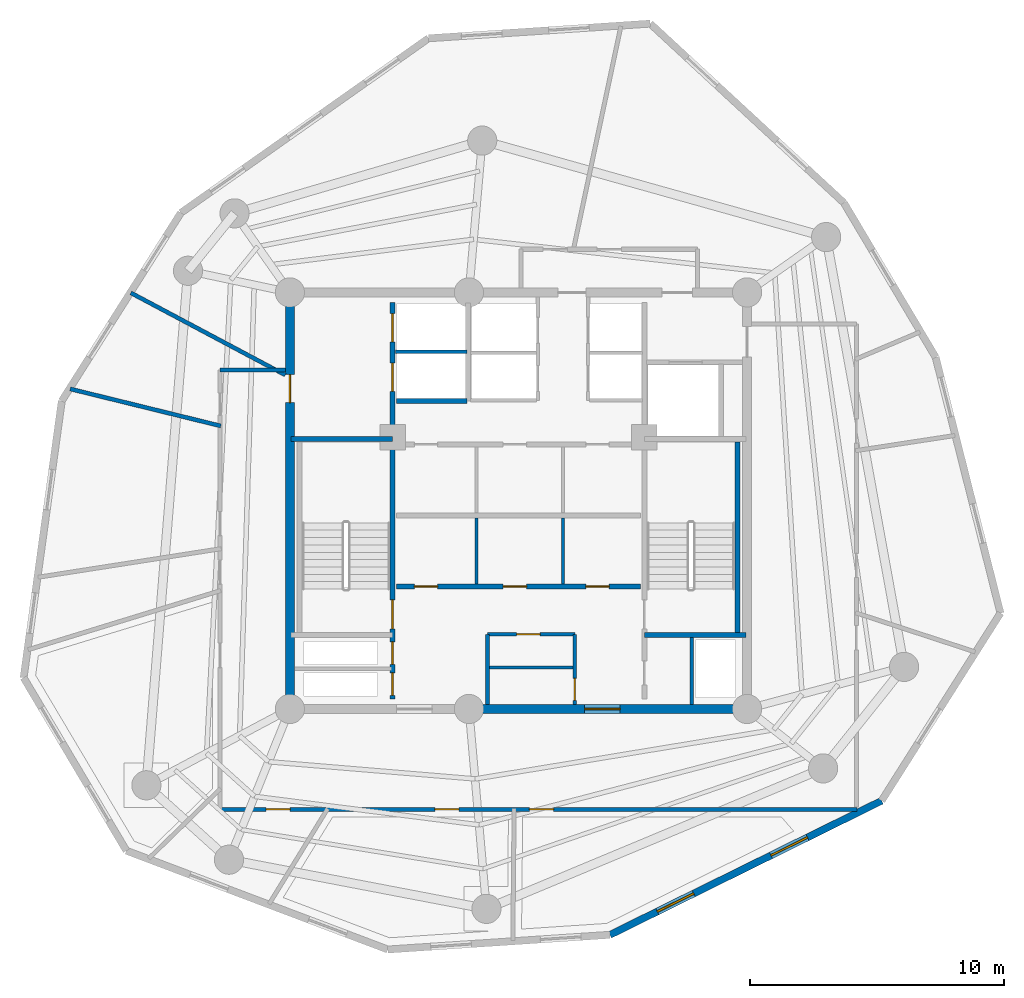
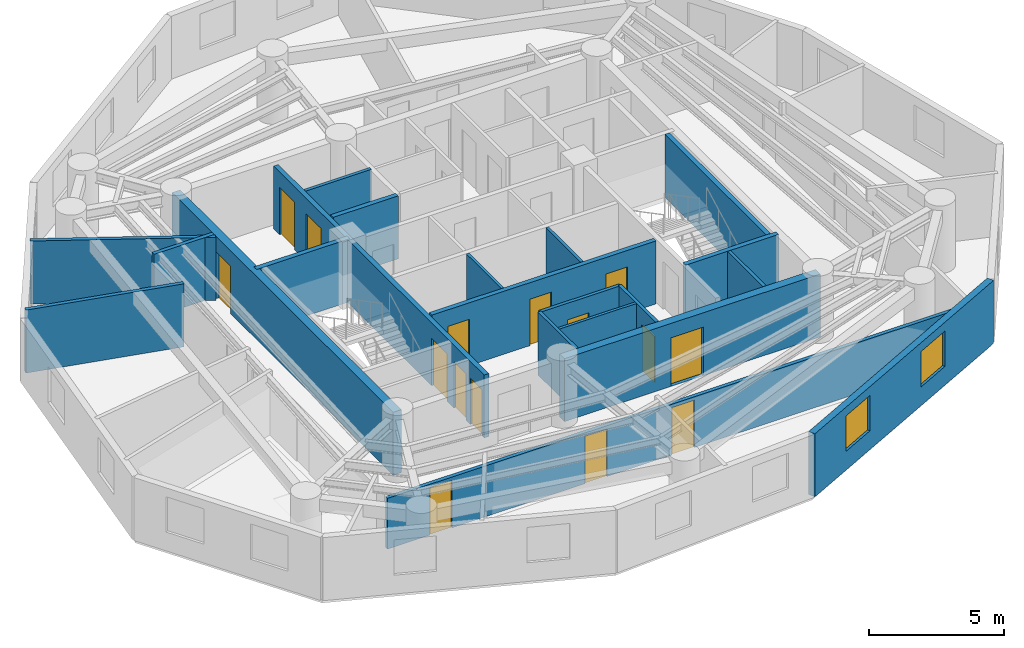
# One storey, part 3 of 6: 21 walls, 15 doors, 2 windows, 17 openings.
"""IFC4 building model written with IfcOpenShell, lengths in metres."""

from ifc_helpers import new_model, si_unit, direction, frame, frame_2d, origin, origin_with_axes, place, context, subcontext, project, spatial, rectangle, extrude, source, transform, mapped, material, layer, layer_set, type_object, element, fill, save


model = new_model("IFC4")

# Units and contexts
model_context = context("Model", 3, precision=1e-05, world=origin(), true_north=direction((0.0, 1.0)))
body_context = subcontext(model_context, "Body", "Model", "MODEL_VIEW")
ifc_project = project(units=[si_unit("LENGTHUNIT", "METRE"), si_unit("AREAUNIT", "SQUARE_METRE"), si_unit("VOLUMEUNIT", "CUBIC_METRE"), si_unit("PLANEANGLEUNIT", "RADIAN"), si_unit("MASSUNIT", "GRAM", prefix="KILO")], contexts=[model_context])

# Site, building, storey
site_placement = place(None, origin())
site = spatial("IfcSite", under=ifc_project, at=site_placement, CompositionType="ELEMENT")
building_placement = place(site_placement, origin())
building = spatial("IfcBuilding", under=site, at=building_placement, Name="Karkom Vertical University and Central Library", CompositionType="ELEMENT")
storey_placement = place(building_placement, frame((0.0, 0.0, 262.64990234375)))
storey = spatial("IfcBuildingStorey", under=building, at=storey_placement, Name="L78", CompositionType="ELEMENT", Elevation=262.64990234375)

# Wall, openings, windows
ifc_material_1 = material(Name="Brick-faced precast concrete C45/55", Category="masonry")
ifc_layer_1 = layer(ifc_material_1, 0.280029296875)
ifc_layer_set_1 = layer_set([ifc_layer_1], Name="Brick-faced precast concrete C45/55")
wall_type_1 = type_object("IfcWallType", Name="ENV-WL-BRK-280", PredefinedType="SOLIDWALL", material=ifc_layer_set_1)
wall_1_placement = place(storey_placement, frame((32.10107421875, 9.40478515625, 0.0), z_axis=(0.0, 0.0, 1.0), x_axis=(0.896764199355, 0.442508723931, 0.0)))
wall_1 = element("IfcWall", 1, at=wall_1_placement, inside=storey, type_object=wall_type_1, Name="Level 78 Brick-Faced Precast Facade Wall 04", PredefinedType="SOLIDWALL", context=body_context, shape_type="SweptSolid", body=[
    extrude(rectangle(XDim=11.929931640625, YDim=0.280029296875, at=frame_2d((5.96484375, 0.0))), origin(), (0.0, 0.0, 1.0), 2.85009765625),
])
opening_1_placement = place(wall_1_placement, frame((2.0771484375, 0.0, 0.85009765625)))
opening_1 = element("IfcOpeningElement", 2, at=opening_1_placement, cuts=wall_1, Name="Opening WN-10", PredefinedType="OPENING", context=body_context, shape_type="SweptSolid", body=[
    extrude(rectangle(XDim=1.60009765625, YDim=1.60009765625, at=frame_2d((0.800048828125, 0.800048828125))), frame((0.0, 0.14990234375, 0.0), z_axis=(0.0, -1.0, 0.0), x_axis=(1.0, 0.0, 0.0)), (0.0, 0.0, 1.0), 0.300048828125),
])
opening_2_placement = place(wall_1_placement, frame((7.07177734375, 0.0, 0.85009765625)))
opening_2 = element("IfcOpeningElement", 3, at=opening_2_placement, cuts=wall_1, Name="Opening WN-10", PredefinedType="OPENING", context=body_context, shape_type="SweptSolid", body=[
    extrude(rectangle(XDim=1.60009765625, YDim=1.60009765625, at=frame_2d((0.800048828125, 0.800048828125))), frame((0.0, 0.14990234375, 0.0), z_axis=(0.0, -1.0, 0.0), x_axis=(1.0, 0.0, 0.0)), (0.0, 0.0, 1.0), 0.300048828125),
])
ifc_material_2 = material(Name="Aluminium thermal-break frame with solar-control IGU", Category="aluminium")
window_type = type_object("IfcWindowType", Name="ENV-WIN-WN-10", PartitioningType="SINGLE_PANEL", PredefinedType="WINDOW", material=ifc_material_2)
shared_shape_1 = source(origin_with_axes(), body_context, "Body", "SweptSolid", [
    extrude(rectangle(XDim=1.60009765625, YDim=1.60009765625, at=frame_2d((0.800048828125, 0.800048828125))), frame((0.0, 0.030029296875, 0.0), z_axis=(0.0, -1.0, 0.0), x_axis=(1.0, 0.0, 0.0)), (0.0, 0.0, 1.0), 0.06005859375),
])
window_1_placement = place(opening_1_placement, origin())
window_1 = element("IfcWindow", 4, at=window_1_placement, inside=storey, type_object=window_type, Name="Level 78 Punched Window 4.1", OverallHeight=1.60009765625, OverallWidth=1.60009765625, PartitioningType="SINGLE_PANEL", PredefinedType="WINDOW", context=body_context, shape_type="MappedRepresentation", body=[
    mapped(shared_shape_1, transform((0.0, 0.0, 0.0), scale=1.0)),
])
fill(opening_1, window_1)
window_2_placement = place(opening_2_placement, origin())
window_2 = element("IfcWindow", 5, at=window_2_placement, inside=storey, type_object=window_type, Name="Level 78 Punched Window 4.2", OverallHeight=1.60009765625, OverallWidth=1.60009765625, PartitioningType="SINGLE_PANEL", PredefinedType="WINDOW", context=body_context, shape_type="MappedRepresentation", body=[
    mapped(shared_shape_1, transform((0.0, 0.0, 0.0), scale=1.0)),
])
fill(opening_2, window_2)

# Wall, openings, doors
ifc_material_3 = material(Name="Insulated metal-stud drywall 160mm", Category="gypsum")
ifc_layer_2 = layer(ifc_material_3, 0.159912109375)
ifc_layer_set_2 = layer_set([ifc_layer_2], Name="Insulated metal-stud drywall 160mm")
wall_type_2 = type_object("IfcWallType", Name="INT-WL-COR-160", PredefinedType="PARTITIONING", material=ifc_layer_set_2)
wall_2_placement = place(storey_placement, frame((41.8212890625, 14.35009765625, 0.0), z_axis=(0.0, 0.0, 1.0), x_axis=(-1.0, 0.0, 0.0)))
wall_2 = element("IfcWall", 6, at=wall_2_placement, inside=storey, type_object=wall_type_2, Name="Level 78 Interior Partition Wall L78-CORW-CW-001", PredefinedType="PARTITIONING", context=body_context, shape_type="SweptSolid", body=[
    extrude(rectangle(XDim=25.0712890625, YDim=0.159912109375, at=frame_2d((12.53564453125, 0.0))), origin(), (0.0, 0.0, 1.0), 2.300048828125),
])
opening_3_placement = place(wall_2_placement, frame((22.30908203125, 0.0, 0.0)))
opening_3 = element("IfcOpeningElement", 7, at=opening_3_placement, cuts=wall_2, Name="Opening D-RM1", PredefinedType="OPENING", context=body_context, shape_type="SweptSolid", body=[
    extrude(rectangle(XDim=0.949951171875, YDim=2.14990234375, at=frame_2d((0.47509765625, 1.074951171875))), frame((0.0, 0.08984375, 0.0), z_axis=(0.0, -1.0, 0.0), x_axis=(1.0, 0.0, 0.0)), (0.0, 0.0, 1.0), 0.179931640625),
])
opening_4_placement = place(wall_2_placement, frame((15.664794921875, 0.0, 0.0)))
opening_4 = element("IfcOpeningElement", 8, at=opening_4_placement, cuts=wall_2, Name="Opening D-RM1", PredefinedType="OPENING", context=body_context, shape_type="SweptSolid", body=[
    extrude(rectangle(XDim=0.949951171875, YDim=2.14990234375, at=frame_2d((0.47509765625, 1.074951171875))), frame((0.0, 0.08984375, 0.0), z_axis=(0.0, -1.0, 0.0), x_axis=(1.0, 0.0, 0.0)), (0.0, 0.0, 1.0), 0.179931640625),
])
opening_5_placement = place(wall_2_placement, frame((11.940185546875, 0.0, 0.0)))
opening_5 = element("IfcOpeningElement", 9, at=opening_5_placement, cuts=wall_2, Name="Opening D-RM1", PredefinedType="OPENING", context=body_context, shape_type="SweptSolid", body=[
    extrude(rectangle(XDim=0.949951171875, YDim=2.14990234375, at=frame_2d((0.47509765625, 1.074951171875))), frame((0.0, 0.08984375, 0.0), z_axis=(0.0, -1.0, 0.0), x_axis=(1.0, 0.0, 0.0)), (0.0, 0.0, 1.0), 0.179931640625),
])
ifc_material_4 = material(Name="Solid-core oak veneer door", Category="wood")
door_type_1 = type_object("IfcDoorType", Name="INT-DR-RM1", OperationType="NOTDEFINED", PredefinedType="DOOR", material=ifc_material_4)
shared_shape_2 = source(origin_with_axes(), body_context, "Body", "SweptSolid", [
    extrude(rectangle(XDim=0.949951171875, YDim=2.14990234375, at=frame_2d((0.47509765625, 1.074951171875))), frame((0.0, 0.02490234375, 0.0), z_axis=(0.0, -1.0, 0.0), x_axis=(1.0, 0.0, 0.0)), (0.0, 0.0, 1.0), 0.050048828125),
])
door_1_placement = place(opening_3_placement, origin())
door_1 = element("IfcDoor", 10, at=door_1_placement, inside=storey, type_object=door_type_1, Name="Level 78 Room Entry Door 020", OperationType="SINGLE_SWING_RIGHT", OverallHeight=2.14990234375, OverallWidth=0.949951171875, PredefinedType="DOOR", context=body_context, shape_type="MappedRepresentation", body=[
    mapped(shared_shape_2, transform((0.0, 0.0, 0.0), scale=1.0)),
])
fill(opening_3, door_1)
door_2_placement = place(opening_4_placement, origin())
door_2 = element("IfcDoor", 11, at=door_2_placement, inside=storey, type_object=door_type_1, Name="Level 78 Room Entry Door 030", OperationType="SINGLE_SWING_LEFT", OverallHeight=2.14990234375, OverallWidth=0.949951171875, PredefinedType="DOOR", context=body_context, shape_type="MappedRepresentation", body=[
    mapped(shared_shape_2, transform((0.0, 0.0, 0.0), scale=1.0)),
])
fill(opening_4, door_2)
door_3_placement = place(opening_5_placement, origin())
door_3 = element("IfcDoor", 12, at=door_3_placement, inside=storey, type_object=door_type_1, Name="Level 78 Room Entry Door 040", OperationType="SINGLE_SWING_RIGHT", OverallHeight=2.14990234375, OverallWidth=0.949951171875, PredefinedType="DOOR", context=body_context, shape_type="MappedRepresentation", body=[
    mapped(shared_shape_2, transform((0.0, 0.0, 0.0), scale=1.0)),
])
fill(opening_5, door_3)

# Walls
wall_3_placement = place(storey_placement, frame((19.318603515625, 31.44970703125, 0.0), z_axis=(0.0, 0.0, 1.0), x_axis=(-0.882939910426, 0.469486011055, 0.0)))
element("IfcWall", 13, at=wall_3_placement, inside=storey, type_object=wall_type_2, Name="Level 78 Interior Partition Wall L78-PW-010", PredefinedType="PARTITIONING", context=body_context, shape_type="SweptSolid", body=[
    extrude(rectangle(XDim=6.888671875, YDim=0.159912109375, at=frame_2d((3.4443359375, 0.0))), origin(), (0.0, 0.0, 1.0), 2.85009765625),
])
wall_4_placement = place(storey_placement, frame((16.779052734375, 29.44287109375, 0.0), z_axis=(0.0, 0.0, 1.0), x_axis=(-0.971094330937, 0.238696041908, 0.0)))
element("IfcWall", 14, at=wall_4_placement, inside=storey, type_object=wall_type_2, Name="Level 78 Interior Partition Wall L78-PW-011", PredefinedType="PARTITIONING", context=body_context, shape_type="SweptSolid", body=[
    extrude(rectangle(XDim=6.107177734375, YDim=0.159912109375, at=frame_2d((3.0537109375, 0.0))), origin(), (0.0, 0.0, 1.0), 2.85009765625),
])
wall_5_placement = place(storey_placement, frame((16.75, 31.64990234375, 0.0), z_axis=(0.0, 0.0, 1.0), x_axis=(1.0, 0.0, 0.0)))
element("IfcWall", 15, at=wall_5_placement, inside=storey, type_object=wall_type_2, Name="Level 78 Interior Partition Wall L78-CORW-CW-003", PredefinedType="PARTITIONING", context=body_context, shape_type="SweptSolid", body=[
    extrude(rectangle(XDim=2.568115234375, YDim=0.159912109375, at=frame_2d((1.2841796875, 0.0))), origin(), (0.0, 0.0, 1.0), 2.85009765625),
])
ifc_material_5 = material(Name="Moisture-resistant drywall 120mm", Category="gypsum")
ifc_layer_3 = layer(ifc_material_5, 0.1201171875)
ifc_layer_set_3 = layer_set([ifc_layer_3], Name="Moisture-resistant drywall 120mm")
wall_type_3 = type_object("IfcWallType", Name="INT-WL-INT-120", PredefinedType="PARTITIONING", material=ifc_layer_set_3)
wall_6_placement = place(storey_placement, frame((27.280029296875, 19.93994140625, 0.0), z_axis=(0.0, 0.0, 1.0), x_axis=(1.0, 0.0, 0.0)))
element("IfcWall", 16, at=wall_6_placement, inside=storey, type_object=wall_type_3, Name="Level 78 Interior Partition Wall L78-CW-K4-DIV", PredefinedType="PARTITIONING", context=body_context, shape_type="SweptSolid", body=[
    extrude(rectangle(XDim=3.43994140625, YDim=0.1201171875, at=frame_2d((1.719970703125, 0.0))), origin(), (0.0, 0.0, 1.0), 2.85009765625),
])
for number, where, z_axis, x_axis, name in (
    (17, (26.85009765625, 23.22705078125, 0.0), (0.0, 0.0, 1.0), (0.0, 1.0, 0.0), "Level 78 Interior Partition Wall L78-CW-B1-K4A"),
    (18, (30.25, 23.22705078125, 0.0), (0.0, 0.0, 1.0), (0.0, 1.0, 0.0), "Level 78 Interior Partition Wall L78-CW-B1-K4B"),
):
    element("IfcWall", number, at=place(storey_placement, frame(where, z_axis=z_axis, x_axis=x_axis)), inside=storey, type_object=wall_type_3, Name=name, PredefinedType="PARTITIONING", context=body_context, shape_type="SweptSolid", body=[
        extrude(rectangle(XDim=2.586669921875, YDim=0.1201171875, at=frame_2d((1.29345703125, 0.0))), origin(), (0.0, 0.0, 1.0), 2.85009765625),
    ])

# Wall, opening, door
ifc_material_6 = material(Name="Metal-stud gypsum partition 140mm", Category="gypsum")
ifc_layer_4 = layer(ifc_material_6, 0.139892578125)
ifc_layer_set_4 = layer_set([ifc_layer_4], Name="Metal-stud gypsum partition 140mm")
wall_type_4 = type_object("IfcWallType", Name="INT-WL-SUB-140", PredefinedType="PARTITIONING", material=ifc_layer_set_4)
wall_7_placement = place(storey_placement, frame((27.280029296875, 21.239990234375, 0.0), z_axis=(0.0, 0.0, 1.0), x_axis=(1.0, 0.0, 0.0)))
wall_7 = element("IfcWall", 19, at=wall_7_placement, inside=storey, type_object=wall_type_4, Name="Level 78 Interior Partition Wall L78-CW-KBAY-N", PredefinedType="PARTITIONING", context=body_context, shape_type="SweptSolid", body=[
    extrude(rectangle(XDim=3.43994140625, YDim=0.139892578125, at=frame_2d((1.719970703125, 0.0))), origin(), (0.0, 0.0, 1.0), 2.85009765625),
])
opening_6_placement = place(wall_7_placement, frame((1.14990234375, 0.0, 0.0)))
opening_6 = element("IfcOpeningElement", 20, at=opening_6_placement, cuts=wall_7, Name="Opening D-SVC1", PredefinedType="OPENING", context=body_context, shape_type="SweptSolid", body=[
    extrude(rectangle(XDim=0.919921875, YDim=2.10009765625, at=frame_2d((0.4599609375, 1.050048828125))), frame((0.0, 0.080078125, 0.0), z_axis=(0.0, -1.0, 0.0), x_axis=(1.0, 0.0, 0.0)), (0.0, 0.0, 1.0), 0.159912109375),
])
ifc_material_7 = material(Name="Painted timber service door", Category="wood")
door_type_2 = type_object("IfcDoorType", Name="INT-DR-SVC1", OperationType="NOTDEFINED", PredefinedType="DOOR", material=ifc_material_7)
shared_shape_3 = source(origin_with_axes(), body_context, "Body", "SweptSolid", [
    extrude(rectangle(XDim=0.919921875, YDim=2.10009765625, at=frame_2d((0.4599609375, 1.050048828125))), frame((0.0, 0.02490234375, 0.0), z_axis=(0.0, -1.0, 0.0), x_axis=(1.0, 0.0, 0.0)), (0.0, 0.0, 1.0), 0.050048828125),
])
door_4_placement = place(opening_6_placement, origin())
door_4 = element("IfcDoor", 21, at=door_4_placement, inside=storey, type_object=door_type_2, Name="Level 78 Valve Cupboard Door", OperationType="SINGLE_SWING_RIGHT", OverallHeight=2.10009765625, OverallWidth=0.919921875, PredefinedType="DOOR", context=body_context, shape_type="MappedRepresentation", body=[
    mapped(shared_shape_3, transform((0.0, 0.0, 0.0), scale=1.0)),
])
fill(opening_6, door_4)

# Wall
wall_8_placement = place(storey_placement, frame((27.280029296875, 18.48193359375, 0.0), z_axis=(0.0, 0.0, 1.0), x_axis=(0.0, 1.0, 0.0)))
element("IfcWall", 22, at=wall_8_placement, inside=storey, type_object=wall_type_4, Name="Level 78 Interior Partition Wall L78-CW-KBAY-W", PredefinedType="PARTITIONING", context=body_context, shape_type="SweptSolid", body=[
    extrude(rectangle(XDim=2.758056640625, YDim=0.139892578125, at=frame_2d((1.37890625, 0.0))), origin(), (0.0, 0.0, 1.0), 2.85009765625),
])

# Wall, opening, door
wall_9_placement = place(storey_placement, frame((30.719970703125, 18.48193359375, 0.0), z_axis=(0.0, 0.0, 1.0), x_axis=(0.0, 1.0, 0.0)))
wall_9 = element("IfcWall", 23, at=wall_9_placement, inside=storey, type_object=wall_type_4, Name="Level 78 Interior Partition Wall L78-CW-KBAY-E", PredefinedType="PARTITIONING", context=body_context, shape_type="SweptSolid", body=[
    extrude(rectangle(XDim=2.758056640625, YDim=0.139892578125, at=frame_2d((1.37890625, 0.0))), origin(), (0.0, 0.0, 1.0), 2.85009765625),
])
opening_7_placement = place(wall_9_placement, frame((0.159912109375, 0.0, 0.0)))
opening_7 = element("IfcOpeningElement", 24, at=opening_7_placement, cuts=wall_9, Name="Opening FD-BTH1", PredefinedType="OPENING", context=body_context, shape_type="SweptSolid", body=[
    extrude(rectangle(XDim=0.860107421875, YDim=2.10009765625, at=frame_2d((0.43017578125, 1.050048828125))), frame((0.0, 0.080078125, 0.0), z_axis=(0.0, -1.0, 0.0), x_axis=(1.0, 0.0, 0.0)), (0.0, 0.0, 1.0), 0.159912109375),
])
ifc_material_8 = material(Name="Fire-rated moisture-resistant oak door", Category="wood")
door_type_3 = type_object("IfcDoorType", Name="INT-DR-FBTH1", OperationType="NOTDEFINED", PredefinedType="DOOR", material=ifc_material_8)
shared_shape_4 = source(origin_with_axes(), body_context, "Body", "SweptSolid", [
    extrude(rectangle(XDim=0.860107421875, YDim=2.10009765625, at=frame_2d((0.43017578125, 1.050048828125))), frame((0.0, 0.02490234375, 0.0), z_axis=(0.0, -1.0, 0.0), x_axis=(1.0, 0.0, 0.0)), (0.0, 0.0, 1.0), 0.050048828125),
])
door_5_placement = place(opening_7_placement, origin())
door_5 = element("IfcDoor", 25, at=door_5_placement, inside=storey, type_object=door_type_3, Name="Level 78 Metering Cupboard Door", OperationType="SINGLE_SWING_LEFT", OverallHeight=2.10009765625, OverallWidth=0.860107421875, PredefinedType="DOOR", context=body_context, shape_type="MappedRepresentation", body=[
    mapped(shared_shape_4, transform((0.0, 0.0, 0.0), scale=1.0)),
])
fill(opening_7, door_5)

# Walls
ifc_layer_5 = layer(ifc_material_6, 0.139892578125)
ifc_layer_set_5 = layer_set([ifc_layer_5], Name="Metal-stud gypsum partition 140mm")
wall_type_5 = type_object("IfcWallType", Name="INT-WL-SUB-140H", PredefinedType="PARTITIONING", material=ifc_layer_set_5)
wall_10_placement = place(storey_placement, frame((35.320068359375, 18.48193359375, 0.0), z_axis=(0.0, 0.0, 1.0), x_axis=(0.0, 1.0, 0.0)))
element("IfcWall", 26, at=wall_10_placement, inside=storey, type_object=wall_type_5, Name="Level 78 Interior Partition Wall L78-CW-RIS-E", PredefinedType="PARTITIONING", context=body_context, shape_type="SweptSolid", body=[
    extrude(rectangle(XDim=2.629150390625, YDim=0.139892578125, at=frame_2d((1.314453125, 0.0))), origin(), (0.0, 0.0, 1.0), 2.85009765625),
])
ifc_layer_6 = layer(ifc_material_6, 0.139892578125)
ifc_layer_set_6 = layer_set([ifc_layer_6], Name="Metal-stud gypsum partition 140mm")
wall_type_6 = type_object("IfcWallType", Name="INT-WL-SUB-140X", PredefinedType="PARTITIONING", material=ifc_layer_set_6)
wall_11_placement = place(storey_placement, frame((23.652099609375, 32.3701171875, 0.0), z_axis=(0.0, 0.0, 1.0), x_axis=(1.0, 0.0, 0.0)))
element("IfcWall", 27, at=wall_11_placement, inside=storey, type_object=wall_type_6, Name="Level 78 Interior Partition Wall L78-CW-FFL-M", PredefinedType="PARTITIONING", context=body_context, shape_type="SweptSolid", body=[
    extrude(rectangle(XDim=2.827880859375, YDim=0.139892578125, at=frame_2d((1.4140625, 0.0))), origin(), (0.0, 0.0, 1.0), 2.85009765625),
])

# Wall, opening, door
ifc_material_9 = material(Name="Concrete C45/55", Category="concrete")
ifc_layer_7 = layer(ifc_material_9, 0.35009765625)
ifc_layer_set_7 = layer_set([ifc_layer_7], Name="Concrete C45/55")
wall_type_7 = type_object("IfcWallType", Name="STR-WL-CW-350", PredefinedType="SHEAR", material=ifc_layer_set_7)
wall_12_placement = place(storey_placement, frame((26.550048828125, 18.300048828125, 0.0), z_axis=(0.0, 0.0, 1.0), x_axis=(1.0, 0.0, 0.0)))
wall_12 = element("IfcWall", 28, at=wall_12_placement, inside=storey, type_object=wall_type_7, Name="Level 78 Central Core Shear Wall SW2", PredefinedType="SHEAR", context=body_context, shape_type="SweptSolid", body=[
    extrude(rectangle(XDim=10.949951171875, YDim=0.35009765625, at=frame_2d((5.47509765625, 0.0))), origin(), (0.0, 0.0, 1.0), 2.85009765625),
])
opening_8_placement = place(wall_12_placement, frame((4.550048828125, 0.0, 0.0)))
opening_8 = element("IfcOpeningElement", 29, at=opening_8_placement, cuts=wall_12, Name="Opening FD-CLB", PredefinedType="OPENING", context=body_context, shape_type="SweptSolid", body=[
    extrude(rectangle(XDim=1.39990234375, YDim=2.199951171875, at=frame_2d((0.699951171875, 1.10009765625))), frame((0.0, 0.18505859375, 0.0), z_axis=(0.0, -1.0, 0.0), x_axis=(1.0, 0.0, 0.0)), (0.0, 0.0, 1.0), 0.3701171875),
])
ifc_material_10 = material(Name="Painted steel fire door", Category="steel")
door_type_4 = type_object("IfcDoorType", Name="INT-DR-CLB", OperationType="DOUBLE_DOOR_SINGLE_SWING", PredefinedType="DOOR", material=ifc_material_10)
shared_shape_5 = source(origin_with_axes(), body_context, "Body", "SweptSolid", [
    extrude(rectangle(XDim=1.39990234375, YDim=2.199951171875, at=frame_2d((0.699951171875, 1.10009765625))), frame((0.0, 0.02490234375, 0.0), z_axis=(0.0, -1.0, 0.0), x_axis=(1.0, 0.0, 0.0)), (0.0, 0.0, 1.0), 0.050048828125),
])
door_6_placement = place(opening_8_placement, origin())
door_6 = element("IfcDoor", 30, at=door_6_placement, inside=storey, type_object=door_type_4, Name="Level 78 South Core Lobby East Exit Door", OperationType="DOUBLE_DOOR_SINGLE_SWING", OverallHeight=2.199951171875, OverallWidth=1.39990234375, PredefinedType="DOOR", context=body_context, shape_type="MappedRepresentation", body=[
    mapped(shared_shape_5, transform((0.0, 0.0, 0.0), scale=1.0)),
])
fill(opening_8, door_6)

wall_13_placement = place(storey_placement, frame((19.5, 34.699951171875, 0.0), z_axis=(0.0, 0.0, 1.0), x_axis=(0.0, -1.0, 0.0)))
wall_13 = element("IfcWall", 31, at=wall_13_placement, inside=storey, type_object=wall_type_7, Name="Level 78 Central Core Shear Wall WW", PredefinedType="SHEAR", context=body_context, shape_type="SweptSolid", body=[
    extrude(rectangle(XDim=16.39990234375, YDim=0.35009765625, at=frame_2d((8.199951171875, 0.0))), origin(), (0.0, 0.0, 1.0), 2.85009765625),
])
opening_9_placement = place(wall_13_placement, frame((3.239990234375, 0.0, 0.0)))
opening_9 = element("IfcOpeningElement", 32, at=opening_9_placement, cuts=wall_13, Name="Opening FD-FFL", PredefinedType="OPENING", context=body_context, shape_type="SweptSolid", body=[
    extrude(rectangle(XDim=1.10009765625, YDim=2.14990234375, at=frame_2d((0.550048828125, 1.074951171875))), frame((0.0, 0.18505859375, 0.0), z_axis=(0.0, -1.0, 0.0), x_axis=(1.0, 0.0, 0.0)), (0.0, 0.0, 1.0), 0.3701171875),
])
ifc_material_11 = material(Name="Painted steel smoke-seal fire door", Category="steel")
door_type_5 = type_object("IfcDoorType", Name="INT-DR-FFL", OperationType="NOTDEFINED", PredefinedType="DOOR", material=ifc_material_11)
shared_shape_6 = source(origin_with_axes(), body_context, "Body", "SweptSolid", [
    extrude(rectangle(XDim=1.10009765625, YDim=2.14990234375, at=frame_2d((0.550048828125, 1.074951171875))), frame((0.0, 0.02490234375, 0.0), z_axis=(0.0, -1.0, 0.0), x_axis=(1.0, 0.0, 0.0)), (0.0, 0.0, 1.0), 0.050048828125),
])
door_7_placement = place(opening_9_placement, origin())
door_7 = element("IfcDoor", 33, at=door_7_placement, inside=storey, type_object=door_type_5, Name="Level 78 West Corridor Firefighting Lobby Door", OperationType="SINGLE_SWING_LEFT", OverallHeight=2.14990234375, OverallWidth=1.10009765625, PredefinedType="DOOR", context=body_context, shape_type="MappedRepresentation", body=[
    mapped(shared_shape_6, transform((0.0, 0.0, 0.0), scale=1.0)),
])
fill(opening_9, door_7)

# Wall, openings, doors
ifc_layer_8 = layer(ifc_material_9, 0.199951171875)
ifc_layer_set_8 = layer_set([ifc_layer_8], Name="Concrete C45/55")
wall_type_8 = type_object("IfcWallType", Name="STR-WL-ST-200", PredefinedType="SHEAR", material=ifc_layer_set_8)
wall_14_placement = place(storey_placement, frame((23.544921875, 18.699951171875, 0.0), z_axis=(0.0, 0.0, 1.0), x_axis=(0.0, 1.0, 0.0)))
wall_14 = element("IfcWall", 34, at=wall_14_placement, inside=storey, type_object=wall_type_8, Name="Level 78 Core Shaft Wall L78-CW-ST1-E", PredefinedType="SHEAR", context=body_context, shape_type="SweptSolid", body=[
    extrude(rectangle(XDim=15.60009765625, YDim=0.199951171875, at=frame_2d((7.800048828125, 0.0))), origin(), (0.0, 0.0, 1.0), 2.85009765625),
])
opening_10_placement = place(wall_14_placement, frame((2.75, 0.0, 0.0)))
opening_10 = element("IfcOpeningElement", 35, at=opening_10_placement, cuts=wall_14, Name="Opening FD-ST1", PredefinedType="OPENING", context=body_context, shape_type="SweptSolid", body=[
    extrude(rectangle(XDim=1.14990234375, YDim=2.14990234375, at=frame_2d((0.574951171875, 1.074951171875))), frame((0.0, 0.10986328125, 0.0), z_axis=(0.0, -1.0, 0.0), x_axis=(1.0, 0.0, 0.0)), (0.0, 0.0, 1.0), 0.219970703125),
])
opening_11_placement = place(wall_14_placement, frame((0.139892578125, 0.0, 0.0)))
opening_11 = element("IfcOpeningElement", 36, at=opening_11_placement, cuts=wall_14, Name="Opening FD-RIS", PredefinedType="OPENING", context=body_context, shape_type="SweptSolid", body=[
    extrude(rectangle(XDim=0.8798828125, YDim=2.10009765625, at=frame_2d((0.43994140625, 1.050048828125))), frame((0.0, 0.10986328125, 0.0), z_axis=(0.0, -1.0, 0.0), x_axis=(1.0, 0.0, 0.0)), (0.0, 0.0, 1.0), 0.219970703125),
])
opening_12_placement = place(wall_14_placement, frame((1.360107421875, 0.0, 0.0)))
opening_12 = element("IfcOpeningElement", 37, at=opening_12_placement, cuts=wall_14, Name="Opening FD-RIS", PredefinedType="OPENING", context=body_context, shape_type="SweptSolid", body=[
    extrude(rectangle(XDim=0.8798828125, YDim=2.10009765625, at=frame_2d((0.43994140625, 1.050048828125))), frame((0.0, 0.10986328125, 0.0), z_axis=(0.0, -1.0, 0.0), x_axis=(1.0, 0.0, 0.0)), (0.0, 0.0, 1.0), 0.219970703125),
])
opening_13_placement = place(wall_14_placement, frame((12.10009765625, 0.0, 0.0)))
opening_13 = element("IfcOpeningElement", 38, at=opening_13_placement, cuts=wall_14, Name="Opening LD-FFL", PredefinedType="OPENING", context=body_context, shape_type="SweptSolid", body=[
    extrude(rectangle(XDim=1.1201171875, YDim=2.14990234375, at=frame_2d((0.56005859375, 1.074951171875))), frame((0.0, 0.10986328125, 0.0), z_axis=(0.0, -1.0, 0.0), x_axis=(1.0, 0.0, 0.0)), (0.0, 0.0, 1.0), 0.219970703125),
])
opening_14_placement = place(wall_14_placement, frame((14.050048828125, 0.0, 0.0)))
opening_14 = element("IfcOpeningElement", 39, at=opening_14_placement, cuts=wall_14, Name="Opening LD-FFL", PredefinedType="OPENING", context=body_context, shape_type="SweptSolid", body=[
    extrude(rectangle(XDim=1.1201171875, YDim=2.14990234375, at=frame_2d((0.56005859375, 1.074951171875))), frame((0.0, 0.10986328125, 0.0), z_axis=(0.0, -1.0, 0.0), x_axis=(1.0, 0.0, 0.0)), (0.0, 0.0, 1.0), 0.219970703125),
])
ifc_material_12 = material(Name="Painted steel acoustic fire door", Category="steel")
door_type_6 = type_object("IfcDoorType", Name="INT-DR-ST1", OperationType="NOTDEFINED", PredefinedType="DOOR", material=ifc_material_12)
shared_shape_7 = source(origin_with_axes(), body_context, "Body", "SweptSolid", [
    extrude(rectangle(XDim=1.14990234375, YDim=2.14990234375, at=frame_2d((0.574951171875, 1.074951171875))), frame((0.0, 0.02490234375, 0.0), z_axis=(0.0, -1.0, 0.0), x_axis=(1.0, 0.0, 0.0)), (0.0, 0.0, 1.0), 0.050048828125),
])
door_8_placement = place(opening_10_placement, origin())
door_8 = element("IfcDoor", 40, at=door_8_placement, inside=storey, type_object=door_type_6, Name="Level 78 Stair ST-1 Fire Door", OperationType="SINGLE_SWING_LEFT", OverallHeight=2.14990234375, OverallWidth=1.14990234375, PredefinedType="DOOR", context=body_context, shape_type="MappedRepresentation", body=[
    mapped(shared_shape_7, transform((0.0, 0.0, 0.0), scale=1.0)),
])
fill(opening_10, door_8)
ifc_material_13 = material(Name="Painted steel riser access door", Category="steel")
door_type_7 = type_object("IfcDoorType", Name="INT-DR-RIS", OperationType="NOTDEFINED", PredefinedType="DOOR", material=ifc_material_13)
shared_shape_8 = source(origin_with_axes(), body_context, "Body", "SweptSolid", [
    extrude(rectangle(XDim=0.8798828125, YDim=2.10009765625, at=frame_2d((0.43994140625, 1.050048828125))), frame((0.0, 0.02490234375, 0.0), z_axis=(0.0, -1.0, 0.0), x_axis=(1.0, 0.0, 0.0)), (0.0, 0.0, 1.0), 0.050048828125),
])
door_9_placement = place(opening_11_placement, origin())
door_9 = element("IfcDoor", 41, at=door_9_placement, inside=storey, type_object=door_type_7, Name="Level 78 Electrical Riser Access Door", OperationType="SINGLE_SWING_RIGHT", OverallHeight=2.10009765625, OverallWidth=0.8798828125, PredefinedType="DOOR", context=body_context, shape_type="MappedRepresentation", body=[
    mapped(shared_shape_8, transform((0.0, 0.0, 0.0), scale=1.0)),
])
fill(opening_11, door_9)
door_10_placement = place(opening_12_placement, origin())
door_10 = element("IfcDoor", 42, at=door_10_placement, inside=storey, type_object=door_type_7, Name="Level 78 Telecom Riser Access Door", OperationType="SINGLE_SWING_LEFT", OverallHeight=2.10009765625, OverallWidth=0.8798828125, PredefinedType="DOOR", context=body_context, shape_type="MappedRepresentation", body=[
    mapped(shared_shape_8, transform((0.0, 0.0, 0.0), scale=1.0)),
])
fill(opening_12, door_10)
ifc_material_14 = material(Name="Fire-rated stainless-steel landing door", Category="steel")
door_type_8 = type_object("IfcDoorType", Name="INT-DR-LD-FFL", OperationType="SLIDING_TO_LEFT", PredefinedType="DOOR", material=ifc_material_14)
shared_shape_9 = source(origin_with_axes(), body_context, "Body", "SweptSolid", [
    extrude(rectangle(XDim=1.1201171875, YDim=2.14990234375, at=frame_2d((0.56005859375, 1.074951171875))), frame((0.0, 0.02490234375, 0.0), z_axis=(0.0, -1.0, 0.0), x_axis=(1.0, 0.0, 0.0)), (0.0, 0.0, 1.0), 0.050048828125),
])
door_11_placement = place(opening_13_placement, origin())
door_11 = element("IfcDoor", 43, at=door_11_placement, inside=storey, type_object=door_type_8, Name="Level 78 Firefighting Lift FFL-1 Landing Door", OperationType="SLIDING_TO_LEFT", OverallHeight=2.14990234375, OverallWidth=1.1201171875, PredefinedType="DOOR", context=body_context, shape_type="MappedRepresentation", body=[
    mapped(shared_shape_9, transform((0.0, 0.0, 0.0), scale=1.0)),
])
fill(opening_13, door_11)
door_12_placement = place(opening_14_placement, origin())
door_12 = element("IfcDoor", 44, at=door_12_placement, inside=storey, type_object=door_type_8, Name="Level 78 Firefighting Lift FFL-2 Landing Door", OperationType="SLIDING_TO_RIGHT", OverallHeight=2.14990234375, OverallWidth=1.1201171875, PredefinedType="DOOR", context=body_context, shape_type="MappedRepresentation", body=[
    mapped(shared_shape_9, transform((0.0, 0.0, 0.0), scale=1.0)),
])
fill(opening_14, door_12)

wall_15_placement = place(storey_placement, frame((23.699951171875, 23.1201171875, 0.0), z_axis=(0.0, 0.0, 1.0), x_axis=(1.0, 0.0, 0.0)))
wall_15 = element("IfcWall", 45, at=wall_15_placement, inside=storey, type_object=wall_type_8, Name="Level 78 Core Shaft Wall L78-CW-B1-S", PredefinedType="SHEAR", context=body_context, shape_type="SweptSolid", body=[
    extrude(rectangle(XDim=9.60009765625, YDim=0.199951171875, at=frame_2d((4.800048828125, 0.0))), origin(), (0.0, 0.0, 1.0), 2.85009765625),
])
opening_15_placement = place(wall_15_placement, frame((0.699951171875, 0.0, 0.0)))
opening_15 = element("IfcOpeningElement", 46, at=opening_15_placement, cuts=wall_15, Name="Opening D-SVC1", PredefinedType="OPENING", context=body_context, shape_type="SweptSolid", body=[
    extrude(rectangle(XDim=0.919921875, YDim=2.10009765625, at=frame_2d((0.4599609375, 1.050048828125))), frame((0.0, 0.10986328125, 0.0), z_axis=(0.0, -1.0, 0.0), x_axis=(1.0, 0.0, 0.0)), (0.0, 0.0, 1.0), 0.219970703125),
])
opening_16_placement = place(wall_15_placement, frame((4.199951171875, 0.0, 0.0)))
opening_16 = element("IfcOpeningElement", 47, at=opening_16_placement, cuts=wall_15, Name="Opening D-SVC1", PredefinedType="OPENING", context=body_context, shape_type="SweptSolid", body=[
    extrude(rectangle(XDim=0.919921875, YDim=2.10009765625, at=frame_2d((0.4599609375, 1.050048828125))), frame((0.0, 0.10986328125, 0.0), z_axis=(0.0, -1.0, 0.0), x_axis=(1.0, 0.0, 0.0)), (0.0, 0.0, 1.0), 0.219970703125),
])
opening_17_placement = place(wall_15_placement, frame((7.449951171875, 0.0, 0.0)))
opening_17 = element("IfcOpeningElement", 48, at=opening_17_placement, cuts=wall_15, Name="Opening D-SVC1", PredefinedType="OPENING", context=body_context, shape_type="SweptSolid", body=[
    extrude(rectangle(XDim=0.919921875, YDim=2.10009765625, at=frame_2d((0.4599609375, 1.050048828125))), frame((0.0, 0.10986328125, 0.0), z_axis=(0.0, -1.0, 0.0), x_axis=(1.0, 0.0, 0.0)), (0.0, 0.0, 1.0), 0.219970703125),
])
door_13_placement = place(opening_15_placement, origin())
door_13 = element("IfcDoor", 49, at=door_13_placement, inside=storey, type_object=door_type_2, Name="Level 78 B1 Store A Door", OperationType="SINGLE_SWING_LEFT", OverallHeight=2.10009765625, OverallWidth=0.919921875, PredefinedType="DOOR", context=body_context, shape_type="MappedRepresentation", body=[
    mapped(shared_shape_3, transform((0.0, 0.0, 0.0), scale=1.0)),
])
fill(opening_15, door_13)
door_14_placement = place(opening_16_placement, origin())
door_14 = element("IfcDoor", 50, at=door_14_placement, inside=storey, type_object=door_type_2, Name="Level 78 B1 Comms Door", OperationType="SINGLE_SWING_RIGHT", OverallHeight=2.10009765625, OverallWidth=0.919921875, PredefinedType="DOOR", context=body_context, shape_type="MappedRepresentation", body=[
    mapped(shared_shape_3, transform((0.0, 0.0, 0.0), scale=1.0)),
])
fill(opening_16, door_14)
door_15_placement = place(opening_17_placement, origin())
door_15 = element("IfcDoor", 51, at=door_15_placement, inside=storey, type_object=door_type_2, Name="Level 78 B1 Store C Door", OperationType="SINGLE_SWING_LEFT", OverallHeight=2.10009765625, OverallWidth=0.919921875, PredefinedType="DOOR", context=body_context, shape_type="MappedRepresentation", body=[
    mapped(shared_shape_3, transform((0.0, 0.0, 0.0), scale=1.0)),
])
fill(opening_17, door_15)

# Walls
wall_16_placement = place(storey_placement, frame((37.125, 21.320068359375, 0.0), z_axis=(0.0, 0.0, 1.0), x_axis=(0.0, 1.0, 0.0)))
element("IfcWall", 52, at=wall_16_placement, inside=storey, type_object=wall_type_8, Name="Level 78 Core Shaft Wall L78-CW-ST2-E", PredefinedType="SHEAR", context=body_context, shape_type="SweptSolid", body=[
    extrude(rectangle(XDim=7.5, YDim=0.199951171875, at=frame_2d((3.75, 0.0))), origin(), (0.0, 0.0, 1.0), 2.85009765625),
])
for number, where, z_axis, x_axis, name in (
    (53, (33.455078125, 21.215087890625, 0.0), (0.0, 0.0, 1.0), (1.0, 0.0, 0.0), "Level 78 Core Shaft Wall L78-CW-ST2-S"),
    (54, (19.550048828125, 28.925048828125, 0.0), (0.0, 0.0, 1.0), (1.0, 0.0, 0.0), "Level 78 Core Shaft Wall L78-CW-ST1-N"),
):
    element("IfcWall", number, at=place(storey_placement, frame(where, z_axis=z_axis, x_axis=x_axis)), inside=storey, type_object=wall_type_8, Name=name, PredefinedType="SHEAR", context=body_context, shape_type="SweptSolid", body=[
        extrude(rectangle(XDim=3.994873046875, YDim=0.199951171875, at=frame_2d((1.99755859375, 0.0))), origin(), (0.0, 0.0, 1.0), 2.85009765625),
    ])
wall_17_placement = place(storey_placement, frame((23.699951171875, 30.419921875, 0.0), z_axis=(0.0, 0.0, 1.0), x_axis=(1.0, 0.0, 0.0)))
element("IfcWall", 55, at=wall_17_placement, inside=storey, type_object=wall_type_8, Name="Level 78 Core Shaft Wall L78-CW-FFL-S", PredefinedType="SHEAR", context=body_context, shape_type="SweptSolid", body=[
    extrude(rectangle(XDim=2.780029296875, YDim=0.199951171875, at=frame_2d((1.39013671875, 0.0))), origin(), (0.0, 0.0, 1.0), 2.85009765625),
])

save(model, "model.ifc")
